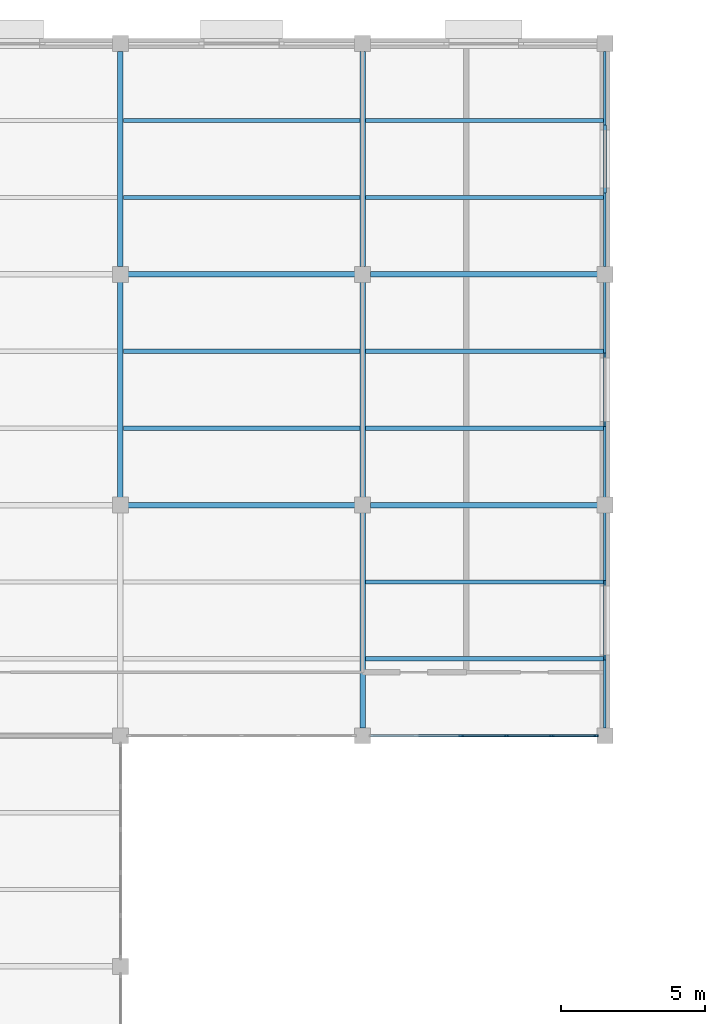
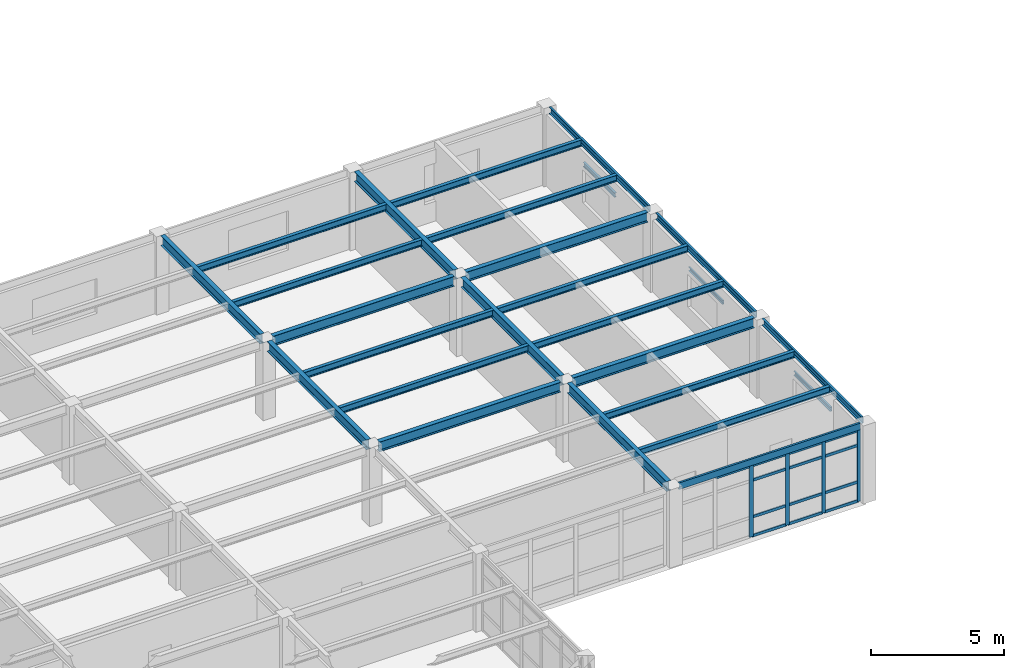
# One storey, part 20 of 53: 26 beams, 17 members, 1 element without a shape of its own.
"""IFC4 building model written with IfcOpenShell, lengths in metres."""

import ifcopenshell
import ifcopenshell.guid

model = None  # the IFC model being written
_history = None  # IfcOwnerHistory: only IFC2X3 demands one
_inside = {}  # id of a spatial element -> (the spatial element, [elements in it])
_under = {}  # id of a project, library or spatial element -> (it, [spatial elements below it])
_declared = {}  # id of a project -> (the project, [libraries it declares])
_typed = {}  # id of a type object -> (the type object, [elements of that type])
_made_of = {}  # id of a material, layer set ... -> (it, [elements and type objects made of it])


def new_model(schema):
    """Start an empty IFC model of exactly this schema.

    Asked for "IFC4X3", IfcOpenShell would pick the latest addendum, in which some entities
    have other attributes; the version numbers below select the first issue.
    IFC2X3 requires an IfcOwnerHistory on every rooted entity: one is made here for all.
    """
    global model, _history
    if schema == "IFC4X3":
        model = ifcopenshell.file(schema_version=(4, 3, 0, 0))
    else:
        model = ifcopenshell.file(schema=schema)
    _inside.clear()
    _under.clear()
    _declared.clear()
    _typed.clear()
    _made_of.clear()
    _history = None
    if model.schema == "IFC2X3":
        org = make("IfcOrganization", Name="unknown")
        user = make(
            "IfcPersonAndOrganization",
            ThePerson=make("IfcPerson", FamilyName="unknown"),
            TheOrganization=org,
        )
        app = make(
            "IfcApplication",
            ApplicationDeveloper=org,
            Version="unknown",
            ApplicationFullName="unknown",
            ApplicationIdentifier="unknown",
        )
        _history = make(
            "IfcOwnerHistory",
            OwningUser=user,
            OwningApplication=app,
            ChangeAction="ADDED",
            CreationDate=0,
        )
    return model


def make(cls, **values):
    """One entity of the class cls with the attributes given. An attribute that is None is left unset."""
    return model.create_entity(
        cls, **{name: value for name, value in values.items() if value is not None}
    )


def rooted(cls, **values):
    """An entity with a GlobalId (a new one), such as an element, a storey or a relation."""
    return make(cls, GlobalId=ifcopenshell.guid.new(), OwnerHistory=_history, **values)


def si_unit(unit_type, name, prefix=None):
    """IfcSIUnit, for example si_unit("LENGTHUNIT", "METRE", prefix="MILLI")."""
    return make("IfcSIUnit", UnitType=unit_type, Prefix=prefix, Name=name)


def assignment(units):
    """IfcUnitAssignment: the units of a project."""
    return None if units is None else make("IfcUnitAssignment", Units=units)


def point(xyz):
    """IfcCartesianPoint."""
    return None if xyz is None else make("IfcCartesianPoint", Coordinates=xyz)


def direction(xyz):
    """IfcDirection."""
    return None if xyz is None else make("IfcDirection", DirectionRatios=xyz)


def frame(location, z_axis=None, x_axis=None):
    """IfcAxis2Placement3D, a coordinate frame: its origin and axes. An axis left out is left unset."""
    return make(
        "IfcAxis2Placement3D",
        Location=point(location),
        Axis=direction(z_axis),
        RefDirection=direction(x_axis),
    )


def frame_2d(location, x_axis=None):
    """IfcAxis2Placement2D, a coordinate frame in the plane: its origin and x axis."""
    return make(
        "IfcAxis2Placement2D", Location=point(location), RefDirection=direction(x_axis)
    )


def origin():
    """The frame at (0, 0, 0) with its axes left unset."""
    return frame((0.0, 0.0, 0.0))


def origin_2d():
    """The frame at (0, 0) in the plane with its x axis left unset."""
    return frame_2d((0.0, 0.0))


def place(relative_to, where):
    """IfcLocalPlacement: puts the frame where relative to a parent placement (None: the world)."""
    return make(
        "IfcLocalPlacement", PlacementRelTo=relative_to, RelativePlacement=where
    )


def context(
    kind, dimensions, precision=None, world=None, true_north=None, identifier=None
):
    """IfcGeometricRepresentationContext, for example the 3D "Model" context."""
    return make(
        "IfcGeometricRepresentationContext",
        ContextIdentifier=identifier,
        ContextType=kind,
        CoordinateSpaceDimension=dimensions,
        Precision=precision,
        WorldCoordinateSystem=world,
        TrueNorth=true_north,
    )


def subcontext(parent, identifier, kind, view, scale=None):
    """IfcGeometricRepresentationSubContext, for example "Body" below "Model"."""
    return make(
        "IfcGeometricRepresentationSubContext",
        ContextIdentifier=identifier,
        ContextType=kind,
        ParentContext=parent,
        TargetScale=scale,
        TargetView=view,
    )


def project(units=None, contexts=None):
    """IfcProject with its units and contexts."""
    return rooted(
        "IfcProject",
        Name="project",
        RepresentationContexts=contexts,
        UnitsInContext=assignment(units),
    )


def spatial(cls, under=None, at=None, **own):
    """A site, building, storey or space (cls), placed at a placement, below another one or the project."""
    s = rooted(cls, ObjectPlacement=at, **own)
    if under is not None:
        _under.setdefault(under.id(), (under, []))[1].append(s)
    return s


def profile(cls, at=None, kind="AREA", **sizes):
    """A parametric profile (cls). Its sizes go by their IFC names, for example OverallWidth=200.0."""
    return make(cls, ProfileType=kind, Position=at, **sizes)


def rectangle(**sizes):
    """IfcRectangleProfileDef."""
    return profile("IfcRectangleProfileDef", **sizes)


def i_section(**sizes):
    """IfcIShapeProfileDef."""
    return profile("IfcIShapeProfileDef", **sizes)


def u_section(**sizes):
    """IfcUShapeProfileDef."""
    return profile("IfcUShapeProfileDef", **sizes)


def extrude(swept, where, along, depth):
    """IfcExtrudedAreaSolid: the profile swept, set in the frame where, extruded along a direction by depth."""
    return make(
        "IfcExtrudedAreaSolid",
        SweptArea=swept,
        Position=where,
        ExtrudedDirection=direction(along),
        Depth=depth,
    )


def shape(context_of_items, identifier, shape_type, items):
    """IfcShapeRepresentation: the items that make up one representation, for example the "Body"."""
    return make(
        "IfcShapeRepresentation",
        ContextOfItems=context_of_items,
        RepresentationIdentifier=identifier,
        RepresentationType=shape_type,
        Items=items,
    )


def material(Name=None, Category=None):
    """IfcMaterial."""
    return make("IfcMaterial", Name=Name, Category=Category)


def layer(
    of_material, thickness, ventilated=None, Name=None, Category=None, Priority=None
):
    """IfcMaterialLayer: one layer of a wall or slab, of a material (None: an air gap)."""
    return make(
        "IfcMaterialLayer",
        Material=of_material,
        LayerThickness=thickness,
        IsVentilated=ventilated,
        Name=Name,
        Category=Category,
        Priority=Priority,
    )


def layer_set(layers, Name=None):
    """IfcMaterialLayerSet."""
    return make("IfcMaterialLayerSet", MaterialLayers=layers, LayerSetName=Name)


def material_profile(
    of_material, cross_section, Name=None, Category=None, Priority=None
):
    """IfcMaterialProfile: a cross section and its material."""
    return make(
        "IfcMaterialProfile",
        Name=Name,
        Material=of_material,
        Profile=cross_section,
        Priority=Priority,
        Category=Category,
    )


def profile_set(profiles, Name=None, composite=None):
    """IfcMaterialProfileSet."""
    return make(
        "IfcMaterialProfileSet",
        Name=Name,
        MaterialProfiles=profiles,
        CompositeProfile=composite,
    )


def made_of(thing, what):
    """Note that an element or type object is made of a material, layer set ...; save() writes the relation."""
    if what is not None:
        _made_of.setdefault(what.id(), (what, []))[1].append(thing)
    return thing


def type_object(cls, material=None, **own):
    """A type object (cls), such as IfcWallType, which elements share."""
    return made_of(rooted(cls, **own), material)


def element(
    cls,
    number,
    at=None,
    inside=None,
    cuts=None,
    type_object=None,
    material=None,
    context=None,
    identifier="Body",
    shape_type=None,
    held_by="IfcProductDefinitionShape",
    body=None,
    shapes=None,
    **own,
):
    """One element of the class cls, such as IfcWall. Its Tag is "e" and its number.

    at: its placement. inside: the storey or other place that contains it. cuts: it is an
    opening in that element (IfcRelVoidsElement). A single representation is given by context,
    identifier, shape_type and body (its items); several are given by shapes. held_by: the class
    of the entity that holds the representations. save() writes the other relations.
    """
    e = rooted(cls, Tag="e%d" % number, ObjectPlacement=at, **own)
    if body is not None:
        shapes = [shape(context, identifier, shape_type, body)]
    if shapes is not None:
        e.Representation = make(held_by, Representations=shapes)
    if inside is not None:
        _inside.setdefault(inside.id(), (inside, []))[1].append(e)
    if cuts is not None:
        rooted(
            "IfcRelVoidsElement", RelatingBuildingElement=cuts, RelatedOpeningElement=e
        )
    if type_object is not None:
        _typed.setdefault(type_object.id(), (type_object, []))[1].append(e)
    return made_of(e, material)


def aggregate(whole, parts):
    """IfcRelAggregates: a whole, such as a stair, and the parts it consists of."""
    return rooted("IfcRelAggregates", RelatingObject=whole, RelatedObjects=parts)


def save(model, path):
    """Write the relations noted so far, then the file.

    IfcRelAggregates (storeys below a building ...), IfcRelContainedInSpatialStructure (elements
    in a storey), IfcRelDefinesByType, IfcRelAssociatesMaterial and IfcRelDeclares: one each for
    every whole, place, type object, material and project.
    """
    for whole, parts in _under.values():
        aggregate(whole, parts)
    for where, things in _inside.values():
        rooted(
            "IfcRelContainedInSpatialStructure",
            RelatedElements=things,
            RelatingStructure=where,
        )
    for kind, things in _typed.values():
        rooted("IfcRelDefinesByType", RelatedObjects=things, RelatingType=kind)
    for what, things in _made_of.values():
        rooted("IfcRelAssociatesMaterial", RelatedObjects=things, RelatingMaterial=what)
    for by, libraries in _declared.values():
        rooted("IfcRelDeclares", RelatingContext=by, RelatedDefinitions=libraries)
    model.write(path)


model = new_model("IFC4")

# Units and contexts
model_context = context("Model", 3, precision=1e-05, world=origin(), true_north=direction((0.0, 1.0)))
body_context = subcontext(model_context, "Body", "Model", "MODEL_VIEW")
ifc_project = project(units=[si_unit("LENGTHUNIT", "METRE"), si_unit("AREAUNIT", "SQUARE_METRE"), si_unit("VOLUMEUNIT", "CUBIC_METRE"), si_unit("PLANEANGLEUNIT", "RADIAN"), si_unit("MASSUNIT", "GRAM", prefix="KILO")], contexts=[model_context])

# Site, building, storey
site_placement = place(None, origin())
site = spatial("IfcSite", under=ifc_project, at=site_placement, CompositionType="ELEMENT")
building_placement = place(site_placement, origin())
building = spatial("IfcBuilding", under=site, at=building_placement, Name="Kranzveld Transit Interchange", CompositionType="ELEMENT")
storey_placement = place(building_placement, frame((0.0, 0.0, 13.360107421875)))
storey = spatial("IfcBuildingStorey", under=building, at=storey_placement, Name="L03", CompositionType="ELEMENT", Elevation=13.360107421875)

# Beams
ifc_material_1 = material(Name="Steel S355JR", Category="steel")
ifc_material_profile_1 = material_profile(ifc_material_1, i_section(OverallWidth=0.18994140625, OverallDepth=0.453369140625, WebThickness=0.008544921875, FlangeThickness=0.0126953125, FilletRadius=0.01025390625, at=origin_2d()), Name="UB 457x191x67")
ifc_profile_set_1 = profile_set([ifc_material_profile_1], Name="Steel S355JR")
beam_type_1 = type_object("IfcBeamType", Name="Beam Steel UB 457x191x67 S355JR", PredefinedType="BEAM", material=ifc_profile_set_1)
for number, where, z_axis, x_axis, name in (
    (1, (33.60009765625, 96.264892578125, 3.353271484375), (0.0, 1.0, 0.0), (-1.0, 0.0, 0.0), "L03 Girder 05/N-P"),
    (2, (33.60009765625, 104.264892578125, 3.353271484375), (0.0, 1.0, 0.0), (-1.0, 0.0, 0.0), "L03 Girder 05/P-Q"),
    (3, (42.0, 88.264892578125, 3.353271484375), (0.0, 1.0, 0.0), (-1.0, 0.0, 0.0), "L03 Girder 06/M-N"),
    (4, (42.0, 96.264892578125, 3.353271484375), (0.0, 1.0, 0.0), (-1.0, 0.0, 0.0), "L03 Girder 06/N-P"),
    (5, (42.0, 104.264892578125, 3.353271484375), (0.0, 1.0, 0.0), (-1.0, 0.0, 0.0), "L03 Girder 06/P-Q"),
):
    element("IfcBeam", number, at=place(storey_placement, frame(where, z_axis=z_axis, x_axis=x_axis)), inside=storey, type_object=beam_type_1, Name=name, PredefinedType="BEAM", context=body_context, shape_type="SweptSolid", body=[
        extrude(i_section(OverallWidth=0.18994140625, OverallDepth=0.453369140625, WebThickness=0.008544921875, FlangeThickness=0.0126953125, FilletRadius=0.01025390625, at=origin_2d()), origin(), (0.0, 0.0, 1.0), 7.47021484375),
    ])
ifc_material_2 = material(Name="Steel S355JR", Category="steel")
ifc_material_profile_2 = material_profile(ifc_material_2, i_section(OverallWidth=0.1904296875, OverallDepth=0.45703125, WebThickness=0.009033203125, FlangeThickness=0.014404296875, FilletRadius=0.01025390625, at=origin_2d()), Name="UB 457x191x74")
ifc_profile_set_2 = profile_set([ifc_material_profile_2], Name="Steel S355JR")
beam_type_2 = type_object("IfcBeamType", Name="Beam Steel UB 457x191x74 S355JR", PredefinedType="BEAM", material=ifc_profile_set_2)
for number, where, z_axis, x_axis, name in (
    (6, (33.864990234375, 96.0, 3.351318359375), (1.0, 0.0, 0.0), (0.0, 1.0, 0.0), "L03 Girder 05-06/N"),
    (7, (42.264892578125, 96.0, 3.351318359375), (1.0, 0.0, 0.0), (0.0, 1.0, 0.0), "L03 Girder 06-07/N"),
    (8, (33.864990234375, 104.0, 3.351318359375), (1.0, 0.0, 0.0), (0.0, 1.0, 0.0), "L03 Girder 05-06/P"),
    (9, (42.264892578125, 104.0, 3.351318359375), (1.0, 0.0, 0.0), (0.0, 1.0, 0.0), "L03 Girder 06-07/P"),
):
    element("IfcBeam", number, at=place(storey_placement, frame(where, z_axis=z_axis, x_axis=x_axis)), inside=storey, type_object=beam_type_2, Name=name, PredefinedType="BEAM", context=body_context, shape_type="SweptSolid", body=[
        extrude(i_section(OverallWidth=0.1904296875, OverallDepth=0.45703125, WebThickness=0.009033203125, FlangeThickness=0.014404296875, FilletRadius=0.01025390625, at=origin_2d()), origin(), (0.0, 0.0, 1.0), 7.8701171875),
    ])

# Curtain wall, members
ifc_material_3 = material(Name="Bronze-anodised thermally broken aluminium", Category="aluminium")
ifc_layer = layer(ifc_material_3, 0.155029296875)
ifc_layer_set = layer_set([ifc_layer], Name="Bronze-anodised thermally broken aluminium")
curtain_wall_type = type_object("IfcCurtainWallType", Name="Operations Courtyard Glazed Screen CW-6", PredefinedType="USERDEFINED", material=ifc_layer_set)
curtain_wall_placement = place(storey_placement, origin())
curtain_wall = element("IfcCurtainWall", 10, at=curtain_wall_placement, inside=storey, type_object=curtain_wall_type, Name="L03 Curtain Wall 06/M-07/M", ObjectType="CURTAIN WALL", PredefinedType="USERDEFINED")
ifc_material_4 = material(Name="Bronze-anodised thermally broken aluminium", Category="aluminium")
ifc_material_profile_3 = material_profile(ifc_material_4, rectangle(XDim=0.06494140625, YDim=0.1650390625, at=origin_2d()), Name="ALU MULLION 65x165")
ifc_profile_set_3 = profile_set([ifc_material_profile_3], Name="Bronze-anodised thermally broken aluminium")
member_type_1 = type_object("IfcMemberType", Name="Curtain Wall Mullion 65x165 Alu", PredefinedType="MULLION", material=ifc_profile_set_3)
member_1_placement = place(storey_placement, frame((45.4150390625, 88.0, 0.0), z_axis=(0.0, 0.0, 1.0), x_axis=(0.0, 1.0, 0.0)))
member_1 = element("IfcMember", 11, at=member_1_placement, type_object=member_type_1, Name="CW-6 mullion 3", PredefinedType="MULLION", context=body_context, shape_type="SweptSolid", body=[
    extrude(rectangle(XDim=0.06494140625, YDim=0.1650390625, at=origin_2d()), origin(), (0.0, 0.0, 1.0), 3.27978515625),
])
member_2_placement = place(storey_placement, frame((46.985107421875, 88.0, 0.0), z_axis=(0.0, 0.0, 1.0), x_axis=(0.0, 1.0, 0.0)))
member_2 = element("IfcMember", 12, at=member_2_placement, type_object=member_type_1, Name="CW-6 mullion 4", PredefinedType="MULLION", context=body_context, shape_type="SweptSolid", body=[
    extrude(rectangle(XDim=0.06494140625, YDim=0.1650390625, at=origin_2d()), origin(), (0.0, 0.0, 1.0), 3.27978515625),
])
member_3_placement = place(storey_placement, frame((48.554931640625, 88.0, 0.0), z_axis=(0.0, 0.0, 1.0), x_axis=(0.0, 1.0, 0.0)))
member_3 = element("IfcMember", 13, at=member_3_placement, type_object=member_type_1, Name="CW-6 mullion 5", PredefinedType="MULLION", context=body_context, shape_type="SweptSolid", body=[
    extrude(rectangle(XDim=0.06494140625, YDim=0.1650390625, at=origin_2d()), origin(), (0.0, 0.0, 1.0), 3.27978515625),
])
member_4_placement = place(storey_placement, frame((50.092529296875, 88.0, 0.0), z_axis=(0.0, 0.0, 1.0), x_axis=(0.0, 1.0, 0.0)))
member_4 = element("IfcMember", 14, at=member_4_placement, type_object=member_type_1, Name="CW-6 mullion 6", PredefinedType="MULLION", context=body_context, shape_type="SweptSolid", body=[
    extrude(rectangle(XDim=0.06494140625, YDim=0.1650390625, at=origin_2d()), origin(), (0.0, 0.0, 1.0), 3.27978515625),
])
ifc_material_5 = material(Name="Bronze-anodised thermally broken aluminium", Category="aluminium")
ifc_material_profile_4 = material_profile(ifc_material_5, rectangle(XDim=0.06005859375, YDim=0.125, at=origin_2d()), Name="ALU TRANSOM 60x125")
ifc_profile_set_4 = profile_set([ifc_material_profile_4], Name="Bronze-anodised thermally broken aluminium")
member_type_2 = type_object("IfcMemberType", Name="Curtain Wall Transom 60x125 Alu", PredefinedType="USERDEFINED", material=ifc_profile_set_4)
member_5_placement = place(storey_placement, frame((43.87744140625, 88.0, 3.25), z_axis=(1.0, 0.0, 0.0), x_axis=(0.0, 1.0, 0.0)))
member_5 = element("IfcMember", 15, at=member_5_placement, type_object=member_type_2, Name="CW-6 transom 2.4", ObjectType="TRANSOM", PredefinedType="USERDEFINED", context=body_context, shape_type="SweptSolid", body=[
    extrude(rectangle(XDim=0.06005859375, YDim=0.125, at=origin_2d()), origin(), (0.0, 0.0, 1.0), 1.505126953125),
])
member_6_placement = place(storey_placement, frame((45.447509765625, 88.0, 0.02978515625), z_axis=(1.0, 0.0, 0.0), x_axis=(0.0, 1.0, 0.0)))
member_6 = element("IfcMember", 16, at=member_6_placement, type_object=member_type_2, Name="CW-6 transom 3.1", ObjectType="TRANSOM", PredefinedType="USERDEFINED", context=body_context, shape_type="SweptSolid", body=[
    extrude(rectangle(XDim=0.06005859375, YDim=0.125, at=origin_2d()), origin(), (0.0, 0.0, 1.0), 1.5048828125),
])
member_7_placement = place(storey_placement, frame((45.447509765625, 88.0, 0.89990234375), z_axis=(1.0, 0.0, 0.0), x_axis=(0.0, 1.0, 0.0)))
member_7 = element("IfcMember", 17, at=member_7_placement, type_object=member_type_2, Name="CW-6 transom 3.2", ObjectType="TRANSOM", PredefinedType="USERDEFINED", context=body_context, shape_type="SweptSolid", body=[
    extrude(rectangle(XDim=0.06005859375, YDim=0.125, at=origin_2d()), origin(), (0.0, 0.0, 1.0), 1.5048828125),
])
member_8_placement = place(storey_placement, frame((45.447509765625, 88.0, 2.579833984375), z_axis=(1.0, 0.0, 0.0), x_axis=(0.0, 1.0, 0.0)))
member_8 = element("IfcMember", 18, at=member_8_placement, type_object=member_type_2, Name="CW-6 transom 3.3", ObjectType="TRANSOM", PredefinedType="USERDEFINED", context=body_context, shape_type="SweptSolid", body=[
    extrude(rectangle(XDim=0.06005859375, YDim=0.125, at=origin_2d()), origin(), (0.0, 0.0, 1.0), 1.5048828125),
])
member_9_placement = place(storey_placement, frame((45.447509765625, 88.0, 3.25), z_axis=(1.0, 0.0, 0.0), x_axis=(0.0, 1.0, 0.0)))
member_9 = element("IfcMember", 19, at=member_9_placement, type_object=member_type_2, Name="CW-6 transom 3.4", ObjectType="TRANSOM", PredefinedType="USERDEFINED", context=body_context, shape_type="SweptSolid", body=[
    extrude(rectangle(XDim=0.06005859375, YDim=0.125, at=origin_2d()), origin(), (0.0, 0.0, 1.0), 1.5048828125),
])
member_10_placement = place(storey_placement, frame((47.017578125, 88.0, 0.02978515625), z_axis=(1.0, 0.0, 0.0), x_axis=(0.0, 1.0, 0.0)))
member_10 = element("IfcMember", 20, at=member_10_placement, type_object=member_type_2, Name="CW-6 transom 4.1", ObjectType="TRANSOM", PredefinedType="USERDEFINED", context=body_context, shape_type="SweptSolid", body=[
    extrude(rectangle(XDim=0.06005859375, YDim=0.125, at=origin_2d()), origin(), (0.0, 0.0, 1.0), 1.5048828125),
])
member_11_placement = place(storey_placement, frame((47.017578125, 88.0, 0.89990234375), z_axis=(1.0, 0.0, 0.0), x_axis=(0.0, 1.0, 0.0)))
member_11 = element("IfcMember", 21, at=member_11_placement, type_object=member_type_2, Name="CW-6 transom 4.2", ObjectType="TRANSOM", PredefinedType="USERDEFINED", context=body_context, shape_type="SweptSolid", body=[
    extrude(rectangle(XDim=0.06005859375, YDim=0.125, at=origin_2d()), origin(), (0.0, 0.0, 1.0), 1.5048828125),
])
member_12_placement = place(storey_placement, frame((47.017578125, 88.0, 2.579833984375), z_axis=(1.0, 0.0, 0.0), x_axis=(0.0, 1.0, 0.0)))
member_12 = element("IfcMember", 22, at=member_12_placement, type_object=member_type_2, Name="CW-6 transom 4.3", ObjectType="TRANSOM", PredefinedType="USERDEFINED", context=body_context, shape_type="SweptSolid", body=[
    extrude(rectangle(XDim=0.06005859375, YDim=0.125, at=origin_2d()), origin(), (0.0, 0.0, 1.0), 1.5048828125),
])
member_13_placement = place(storey_placement, frame((47.017578125, 88.0, 3.25), z_axis=(1.0, 0.0, 0.0), x_axis=(0.0, 1.0, 0.0)))
member_13 = element("IfcMember", 23, at=member_13_placement, type_object=member_type_2, Name="CW-6 transom 4.4", ObjectType="TRANSOM", PredefinedType="USERDEFINED", context=body_context, shape_type="SweptSolid", body=[
    extrude(rectangle(XDim=0.06005859375, YDim=0.125, at=origin_2d()), origin(), (0.0, 0.0, 1.0), 1.5048828125),
])
member_14_placement = place(storey_placement, frame((48.58740234375, 88.0, 0.02978515625), z_axis=(1.0, 0.0, 0.0), x_axis=(0.0, 1.0, 0.0)))
member_14 = element("IfcMember", 24, at=member_14_placement, type_object=member_type_2, Name="CW-6 transom 5.1", ObjectType="TRANSOM", PredefinedType="USERDEFINED", context=body_context, shape_type="SweptSolid", body=[
    extrude(rectangle(XDim=0.06005859375, YDim=0.125, at=origin_2d()), origin(), (0.0, 0.0, 1.0), 1.47265625),
])
member_15_placement = place(storey_placement, frame((48.58740234375, 88.0, 0.89990234375), z_axis=(1.0, 0.0, 0.0), x_axis=(0.0, 1.0, 0.0)))
member_15 = element("IfcMember", 25, at=member_15_placement, type_object=member_type_2, Name="CW-6 transom 5.2", ObjectType="TRANSOM", PredefinedType="USERDEFINED", context=body_context, shape_type="SweptSolid", body=[
    extrude(rectangle(XDim=0.06005859375, YDim=0.125, at=origin_2d()), origin(), (0.0, 0.0, 1.0), 1.47265625),
])
member_16_placement = place(storey_placement, frame((48.58740234375, 88.0, 2.579833984375), z_axis=(1.0, 0.0, 0.0), x_axis=(0.0, 1.0, 0.0)))
member_16 = element("IfcMember", 26, at=member_16_placement, type_object=member_type_2, Name="CW-6 transom 5.3", ObjectType="TRANSOM", PredefinedType="USERDEFINED", context=body_context, shape_type="SweptSolid", body=[
    extrude(rectangle(XDim=0.06005859375, YDim=0.125, at=origin_2d()), origin(), (0.0, 0.0, 1.0), 1.47265625),
])
member_17_placement = place(storey_placement, frame((48.58740234375, 88.0, 3.25), z_axis=(1.0, 0.0, 0.0), x_axis=(0.0, 1.0, 0.0)))
member_17 = element("IfcMember", 27, at=member_17_placement, type_object=member_type_2, Name="CW-6 transom 5.4", ObjectType="TRANSOM", PredefinedType="USERDEFINED", context=body_context, shape_type="SweptSolid", body=[
    extrude(rectangle(XDim=0.06005859375, YDim=0.125, at=origin_2d()), origin(), (0.0, 0.0, 1.0), 1.47265625),
])
aggregate(curtain_wall, [member_1, member_2, member_3, member_4, member_5, member_6, member_7, member_8, member_9, member_10, member_11, member_12, member_13, member_14, member_15, member_16, member_17])

# Beams
ifc_material_6 = material(Name="Steel S355JR", Category="steel")
ifc_material_profile_5 = material_profile(ifc_material_6, i_section(OverallWidth=0.14990234375, OverallDepth=0.300048828125, WebThickness=0.007080078125, FlangeThickness=0.0107421875, FilletRadius=0.014892578125, at=origin_2d()), Name="IPE 300")
ifc_profile_set_5 = profile_set([ifc_material_profile_5], Name="Steel S355JR")
beam_type_3 = type_object("IfcBeamType", Name="Deck Joist IPE 300 S355JR", PredefinedType="JOIST", material=ifc_profile_set_5)
for number, where, z_axis, x_axis, name in (
    (28, (33.697021484375, 98.666748046875, 3.429931640625), (1.0, 0.0, 0.0), (0.0, 1.0, 0.0), "L03 Secondary Joist 05-06/N.1"),
    (29, (33.697021484375, 101.333251953125, 3.429931640625), (1.0, 0.0, 0.0), (0.0, 1.0, 0.0), "L03 Secondary Joist 05-06/N.2"),
    (30, (33.697021484375, 106.666748046875, 3.429931640625), (1.0, 0.0, 0.0), (0.0, 1.0, 0.0), "L03 Secondary Joist 05-06/P.1"),
    (31, (33.697021484375, 109.333251953125, 3.429931640625), (1.0, 0.0, 0.0), (0.0, 1.0, 0.0), "L03 Secondary Joist 05-06/P.2"),
):
    element("IfcBeam", number, at=place(storey_placement, frame(where, z_axis=z_axis, x_axis=x_axis)), inside=storey, type_object=beam_type_3, Name=name, PredefinedType="JOIST", context=body_context, shape_type="SweptSolid", body=[
        extrude(i_section(OverallWidth=0.14990234375, OverallDepth=0.300048828125, WebThickness=0.007080078125, FlangeThickness=0.0107421875, FilletRadius=0.014892578125, at=origin_2d()), origin(), (0.0, 0.0, 1.0), 8.2060546875),
    ])
for number, where, z_axis, x_axis, name in (
    (32, (42.096923828125, 90.666748046875, 3.429931640625), (1.0, 0.0, 0.0), (0.0, 1.0, 0.0), "L03 Secondary Joist 06-07/M.1"),
    (33, (42.096923828125, 93.333251953125, 3.429931640625), (1.0, 0.0, 0.0), (0.0, 1.0, 0.0), "L03 Secondary Joist 06-07/M.2"),
    (34, (42.096923828125, 98.666748046875, 3.429931640625), (1.0, 0.0, 0.0), (0.0, 1.0, 0.0), "L03 Secondary Joist 06-07/N.1"),
    (35, (42.096923828125, 101.333251953125, 3.429931640625), (1.0, 0.0, 0.0), (0.0, 1.0, 0.0), "L03 Secondary Joist 06-07/N.2"),
    (36, (42.096923828125, 106.666748046875, 3.429931640625), (1.0, 0.0, 0.0), (0.0, 1.0, 0.0), "L03 Secondary Joist 06-07/P.1"),
    (37, (42.096923828125, 109.333251953125, 3.429931640625), (1.0, 0.0, 0.0), (0.0, 1.0, 0.0), "L03 Secondary Joist 06-07/P.2"),
):
    element("IfcBeam", number, at=place(storey_placement, frame(where, z_axis=z_axis, x_axis=x_axis)), inside=storey, type_object=beam_type_3, Name=name, PredefinedType="JOIST", context=body_context, shape_type="SweptSolid", body=[
        extrude(i_section(OverallWidth=0.14990234375, OverallDepth=0.300048828125, WebThickness=0.007080078125, FlangeThickness=0.0107421875, FilletRadius=0.014892578125, at=origin_2d()), origin(), (0.0, 0.0, 1.0), 8.256103515625),
    ])
ifc_material_7 = material(Name="Steel S355JR", Category="steel")
ifc_material_profile_6 = material_profile(ifc_material_7, u_section(Depth=0.300048828125, FlangeWidth=0.090087890625, WebThickness=0.009033203125, FlangeThickness=0.015380859375, FilletRadius=0.011962890625, at=origin_2d()), Name="PFC 300x90x41")
ifc_profile_set_6 = profile_set([ifc_material_profile_6], Name="Steel S355JR")
beam_type_4 = type_object("IfcBeamType", Name="Edge Spandrel PFC 300x90x41 S355JR", PredefinedType="SPANDREL", material=ifc_profile_set_6)
beam_1_placement = place(storey_placement, frame((42.264892578125, 88.0, 3.429931640625), z_axis=(1.0, 0.0, 0.0), x_axis=(0.0, 1.0, 0.0)))
element("IfcBeam", 38, at=beam_1_placement, inside=storey, type_object=beam_type_4, Name="L03 Girder 06-07/M", PredefinedType="SPANDREL", context=body_context, shape_type="SweptSolid", body=[
    extrude(u_section(Depth=0.300048828125, FlangeWidth=0.090087890625, WebThickness=0.009033203125, FlangeThickness=0.015380859375, FilletRadius=0.011962890625, at=origin_2d()), origin(), (0.0, 0.0, 1.0), 7.8701171875),
])
for number, where, z_axis, x_axis, name in (
    (39, (50.39990234375, 88.264892578125, 3.429931640625), (0.0, 1.0, 0.0), (-1.0, 0.0, 0.0), "L03 Girder 07/M-N"),
    (40, (50.39990234375, 96.264892578125, 3.429931640625), (0.0, 1.0, 0.0), (-1.0, 0.0, 0.0), "L03 Girder 07/N-P"),
    (41, (50.39990234375, 104.264892578125, 3.429931640625), (0.0, 1.0, 0.0), (-1.0, 0.0, 0.0), "L03 Girder 07/P-Q"),
):
    element("IfcBeam", number, at=place(storey_placement, frame(where, z_axis=z_axis, x_axis=x_axis)), inside=storey, type_object=beam_type_4, Name=name, PredefinedType="SPANDREL", context=body_context, shape_type="SweptSolid", body=[
        extrude(u_section(Depth=0.300048828125, FlangeWidth=0.090087890625, WebThickness=0.009033203125, FlangeThickness=0.015380859375, FilletRadius=0.011962890625, at=origin_2d()), origin(), (0.0, 0.0, 1.0), 7.47021484375),
    ])
ifc_material_8 = material(Name="Steel S355JR", Category="steel")
ifc_material_profile_7 = material_profile(ifc_material_8, u_section(Depth=0.179931640625, FlangeWidth=0.070068359375, WebThickness=0.007080078125, FlangeThickness=0.010986328125, FilletRadius=0.010009765625, at=origin_2d()), Name="PFC 180x70x22")
ifc_profile_set_7 = profile_set([ifc_material_profile_7], Name="Steel S355JR")
beam_type_5 = type_object("IfcBeamType", Name="Masonry Lintel PFC 180x70x22 S355JR", PredefinedType="LINTEL", material=ifc_profile_set_7)
beam_2_placement = place(storey_placement, frame((50.39990234375, 98.719970703125, 2.494873046875), z_axis=(0.0, 1.0, 0.0), x_axis=(-1.0, 0.0, 0.0)))
element("IfcBeam", 42, at=beam_2_placement, inside=storey, type_object=beam_type_5, Name="L03 Window Lintel 169", PredefinedType="LINTEL", context=body_context, shape_type="SweptSolid", body=[
    extrude(u_section(Depth=0.179931640625, FlangeWidth=0.070068359375, WebThickness=0.007080078125, FlangeThickness=0.010986328125, FilletRadius=0.010009765625, at=origin_2d()), origin(), (0.0, 0.0, 1.0), 2.56005859375),
])
ifc_material_9 = material(Name="Steel S355JR", Category="steel")
ifc_material_profile_8 = material_profile(ifc_material_9, u_section(Depth=0.199951171875, FlangeWidth=0.074951171875, WebThickness=0.006103515625, FlangeThickness=0.012451171875, FilletRadius=0.011962890625, at=origin_2d()), Name="PFC 200x75x23")
ifc_profile_set_8 = profile_set([ifc_material_profile_8], Name="Steel S355JR")
beam_type_6 = type_object("IfcBeamType", Name="Masonry Lintel PFC 200x75x23 S355JR", PredefinedType="LINTEL", material=ifc_profile_set_8)
beam_3_placement = place(storey_placement, frame((50.39990234375, 90.6201171875, 2.5048828125), z_axis=(0.0, 1.0, 0.0), x_axis=(-1.0, 0.0, 0.0)))
element("IfcBeam", 43, at=beam_3_placement, inside=storey, type_object=beam_type_6, Name="L03 Window Lintel 168", PredefinedType="LINTEL", context=body_context, shape_type="SweptSolid", body=[
    extrude(u_section(Depth=0.199951171875, FlangeWidth=0.074951171875, WebThickness=0.006103515625, FlangeThickness=0.012451171875, FilletRadius=0.011962890625, at=origin_2d()), origin(), (0.0, 0.0, 1.0), 2.759765625),
])
ifc_material_10 = material(Name="Steel S355JR", Category="steel")
ifc_material_profile_9 = material_profile(ifc_material_10, i_section(OverallWidth=0.10009765625, OverallDepth=0.199951171875, WebThickness=0.005615234375, FlangeThickness=0.008544921875, FilletRadius=0.011962890625, at=origin_2d()), Name="IPE 200")
ifc_profile_set_9 = profile_set([ifc_material_profile_9], Name="Steel S355JR")
beam_type_7 = type_object("IfcBeamType", Name="Opening Lintel IPE 200 S355JR", PredefinedType="LINTEL", material=ifc_profile_set_9)
beam_4_placement = place(storey_placement, frame((50.39990234375, 106.820068359375, 2.5048828125), z_axis=(0.0, 1.0, 0.0), x_axis=(-1.0, 0.0, 0.0)))
element("IfcBeam", 44, at=beam_4_placement, inside=storey, type_object=beam_type_7, Name="L03 Window Lintel 170", PredefinedType="LINTEL", context=body_context, shape_type="SweptSolid", body=[
    extrude(i_section(OverallWidth=0.10009765625, OverallDepth=0.199951171875, WebThickness=0.005615234375, FlangeThickness=0.008544921875, FilletRadius=0.011962890625, at=origin_2d()), origin(), (0.0, 0.0, 1.0), 2.35986328125),
])

save(model, "model.ifc")
